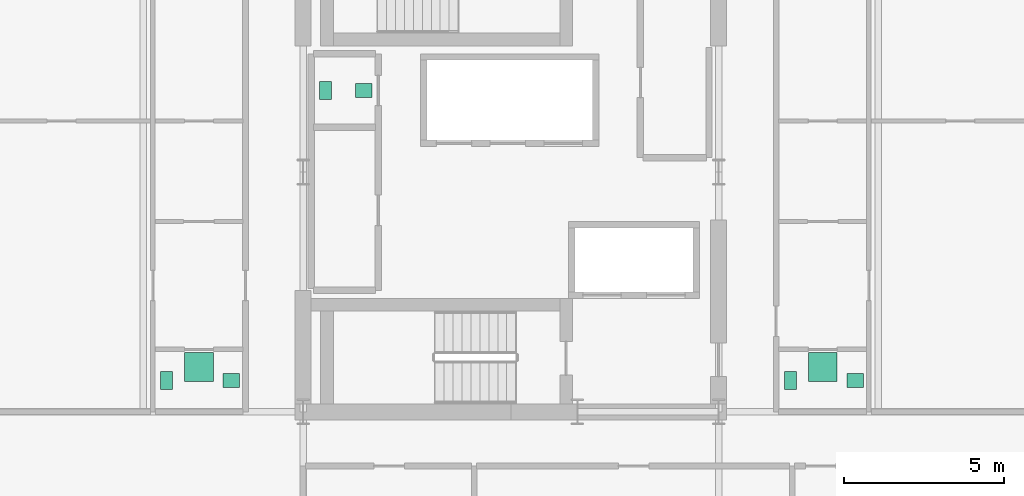
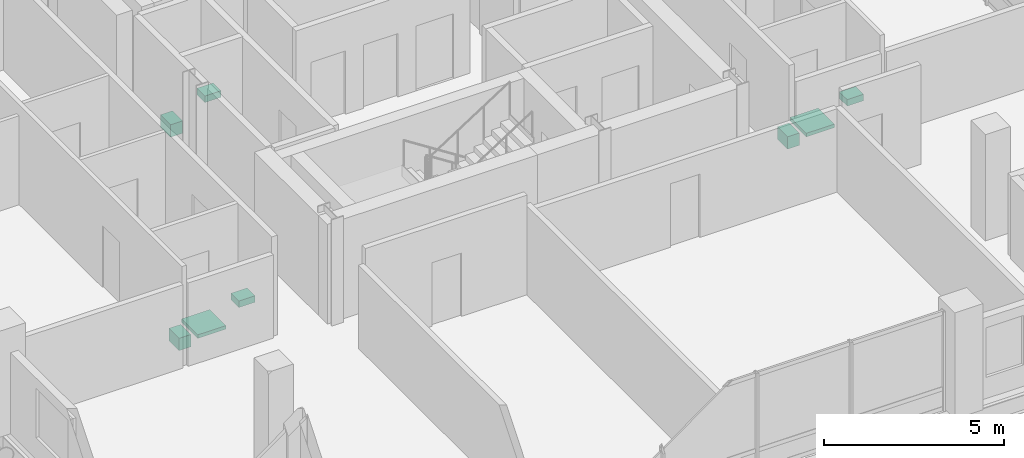
# One storey, part 23 of 23: 8 sanitary terminals.
"""IFC4 building model written with IfcOpenShell, lengths in metres."""

from ifc_helpers import new_model, si_unit, direction, frame, origin, origin_2d, place, context, subcontext, project, spatial, rectangle, extrude, material, type_object, element, save


model = new_model("IFC4")

# Units and contexts
model_context = context("Model", 3, precision=1e-05, world=origin(), true_north=direction((0.0, 1.0)))
body_context = subcontext(model_context, "Body", "Model", "MODEL_VIEW")
ifc_project = project(units=[si_unit("LENGTHUNIT", "METRE"), si_unit("AREAUNIT", "SQUARE_METRE"), si_unit("VOLUMEUNIT", "CUBIC_METRE"), si_unit("PLANEANGLEUNIT", "RADIAN"), si_unit("MASSUNIT", "GRAM", prefix="KILO")], contexts=[model_context])

# Site, building, storey
site_placement = place(None, origin())
site = spatial("IfcSite", under=ifc_project, at=site_placement, CompositionType="ELEMENT")
building_placement = place(site_placement, origin())
building = spatial("IfcBuilding", under=site, at=building_placement, Name="Barlavira Tower and Art Museum", CompositionType="ELEMENT")
storey_placement = place(building_placement, frame((0.0, 0.0, 290.699951171875)))
storey = spatial("IfcBuildingStorey", under=building, at=storey_placement, Name="L76", CompositionType="ELEMENT", Elevation=290.699951171875)

# Sanitary terminals
ifc_material = material(Name="Vitreous glazed ceramic", Category="ceramic")
sanitary_terminal_type_1 = type_object("IfcSanitaryTerminalType", Name="Countertop Ceramic Wash Hand Basin", PredefinedType="WASHHANDBASIN", material=ifc_material)
for number, where, z_axis, x_axis, name in (
    (1, (-4.60009765625, 2.550048828125, 0.740234375), (0.0, 0.0, 1.0), (1.0, 0.0, 0.0), "L76-C-REC1W Wash Basin"),
    (2, (-8.75, -6.52490234375, 0.740234375), (0.0, 0.0, 1.0), (1.0, 0.0, 0.0), "L76-W1-BTH1 Wash Basin"),
    (3, (10.77001953125, -6.52490234375, 0.740234375), (0.0, 0.0, 1.0), (1.0, 0.0, 0.0), "L76-E1-BTH1 Wash Basin"),
):
    element("IfcSanitaryTerminal", number, at=place(storey_placement, frame(where, z_axis=z_axis, x_axis=x_axis)), inside=storey, type_object=sanitary_terminal_type_1, Name=name, PredefinedType="WASHHANDBASIN", context=body_context, shape_type="SweptSolid", body=[
        extrude(rectangle(XDim=0.52001953125, YDim=0.43994140625, at=origin_2d()), origin(), (0.0, 0.0, 1.0), 0.219970703125),
    ])
sanitary_terminal_type_2 = type_object("IfcSanitaryTerminalType", Name="Walk-In Thermostatic Rain Shower Unit", PredefinedType="SHOWER", material=ifc_material)
for number, where, z_axis, x_axis, name in (
    (4, (-9.760009765625, -6.10009765625, 0.0), (0.0, 0.0, 1.0), (1.0, 0.0, 0.0), "L76-W1-BTH1 Rain Shower"),
    (5, (9.760009765625, -6.10009765625, 0.0), (0.0, 0.0, 1.0), (1.0, 0.0, 0.0), "L76-E1-BTH1 Rain Shower"),
):
    element("IfcSanitaryTerminal", number, at=place(storey_placement, frame(where, z_axis=z_axis, x_axis=x_axis)), inside=storey, type_object=sanitary_terminal_type_2, Name=name, PredefinedType="SHOWER", context=body_context, shape_type="SweptSolid", body=[
        extrude(rectangle(XDim=0.89990234375, YDim=0.89990234375, at=origin_2d()), origin(), (0.0, 0.0, 1.0), 0.1201171875),
    ])
sanitary_terminal_type_3 = type_object("IfcSanitaryTerminalType", Name="Wall-Hung Dual-Flush Vitreous WC Pan", PredefinedType="TOILETPAN", material=ifc_material)
for number, where, z_axis, x_axis, name in (
    (6, (-5.800048828125, 2.550048828125, 0.0), (0.0, 0.0, 1.0), (1.0, 0.0, 0.0), "L76-C-REC1W WC Pan"),
    (7, (-10.77001953125, -6.52490234375, 0.0), (0.0, 0.0, 1.0), (1.0, 0.0, 0.0), "L76-W1-BTH1 WC Pan"),
    (8, (8.75, -6.52490234375, 0.0), (0.0, 0.0, 1.0), (1.0, 0.0, 0.0), "L76-E1-BTH1 WC Pan"),
):
    element("IfcSanitaryTerminal", number, at=place(storey_placement, frame(where, z_axis=z_axis, x_axis=x_axis)), inside=storey, type_object=sanitary_terminal_type_3, Name=name, PredefinedType="TOILETPAN", context=body_context, shape_type="SweptSolid", body=[
        extrude(rectangle(XDim=0.3798828125, YDim=0.56005859375, at=origin_2d()), origin(), (0.0, 0.0, 1.0), 0.419921875),
    ])

save(model, "model.ifc")
